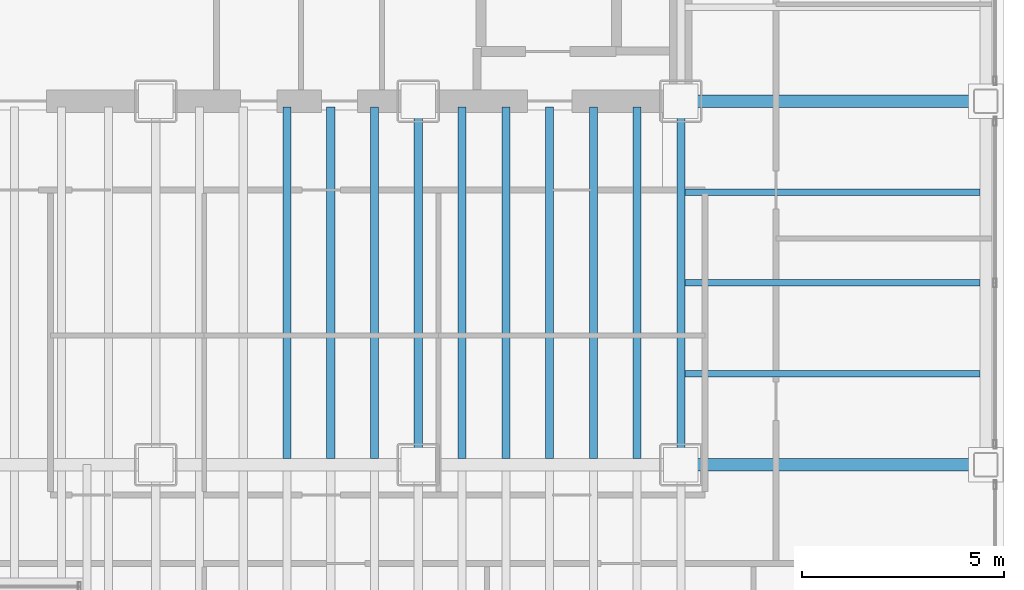
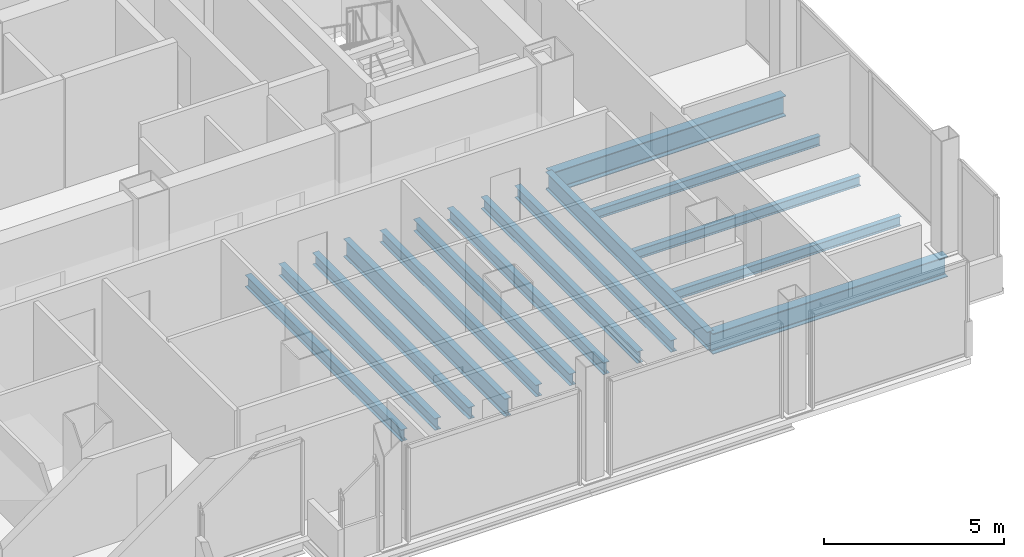
# One storey, part 10 of 21: 15 beams.
"""IFC4 building model written with IfcOpenShell, lengths in metres."""

import ifcopenshell
import ifcopenshell.guid

model = None  # the IFC model being written
_history = None  # IfcOwnerHistory: only IFC2X3 demands one
_inside = {}  # id of a spatial element -> (the spatial element, [elements in it])
_under = {}  # id of a project, library or spatial element -> (it, [spatial elements below it])
_declared = {}  # id of a project -> (the project, [libraries it declares])
_typed = {}  # id of a type object -> (the type object, [elements of that type])
_made_of = {}  # id of a material, layer set ... -> (it, [elements and type objects made of it])


def new_model(schema):
    """Start an empty IFC model of exactly this schema.

    Asked for "IFC4X3", IfcOpenShell would pick the latest addendum, in which some entities
    have other attributes; the version numbers below select the first issue.
    IFC2X3 requires an IfcOwnerHistory on every rooted entity: one is made here for all.
    """
    global model, _history
    if schema == "IFC4X3":
        model = ifcopenshell.file(schema_version=(4, 3, 0, 0))
    else:
        model = ifcopenshell.file(schema=schema)
    _inside.clear()
    _under.clear()
    _declared.clear()
    _typed.clear()
    _made_of.clear()
    _history = None
    if model.schema == "IFC2X3":
        org = make("IfcOrganization", Name="unknown")
        user = make(
            "IfcPersonAndOrganization",
            ThePerson=make("IfcPerson", FamilyName="unknown"),
            TheOrganization=org,
        )
        app = make(
            "IfcApplication",
            ApplicationDeveloper=org,
            Version="unknown",
            ApplicationFullName="unknown",
            ApplicationIdentifier="unknown",
        )
        _history = make(
            "IfcOwnerHistory",
            OwningUser=user,
            OwningApplication=app,
            ChangeAction="ADDED",
            CreationDate=0,
        )
    return model


def make(cls, **values):
    """One entity of the class cls with the attributes given. An attribute that is None is left unset."""
    return model.create_entity(
        cls, **{name: value for name, value in values.items() if value is not None}
    )


def rooted(cls, **values):
    """An entity with a GlobalId (a new one), such as an element, a storey or a relation."""
    return make(cls, GlobalId=ifcopenshell.guid.new(), OwnerHistory=_history, **values)


def si_unit(unit_type, name, prefix=None):
    """IfcSIUnit, for example si_unit("LENGTHUNIT", "METRE", prefix="MILLI")."""
    return make("IfcSIUnit", UnitType=unit_type, Prefix=prefix, Name=name)


def assignment(units):
    """IfcUnitAssignment: the units of a project."""
    return None if units is None else make("IfcUnitAssignment", Units=units)


def point(xyz):
    """IfcCartesianPoint."""
    return None if xyz is None else make("IfcCartesianPoint", Coordinates=xyz)


def direction(xyz):
    """IfcDirection."""
    return None if xyz is None else make("IfcDirection", DirectionRatios=xyz)


def frame(location, z_axis=None, x_axis=None):
    """IfcAxis2Placement3D, a coordinate frame: its origin and axes. An axis left out is left unset."""
    return make(
        "IfcAxis2Placement3D",
        Location=point(location),
        Axis=direction(z_axis),
        RefDirection=direction(x_axis),
    )


def frame_2d(location, x_axis=None):
    """IfcAxis2Placement2D, a coordinate frame in the plane: its origin and x axis."""
    return make(
        "IfcAxis2Placement2D", Location=point(location), RefDirection=direction(x_axis)
    )


def origin():
    """The frame at (0, 0, 0) with its axes left unset."""
    return frame((0.0, 0.0, 0.0))


def origin_2d():
    """The frame at (0, 0) in the plane with its x axis left unset."""
    return frame_2d((0.0, 0.0))


def place(relative_to, where):
    """IfcLocalPlacement: puts the frame where relative to a parent placement (None: the world)."""
    return make(
        "IfcLocalPlacement", PlacementRelTo=relative_to, RelativePlacement=where
    )


def context(
    kind, dimensions, precision=None, world=None, true_north=None, identifier=None
):
    """IfcGeometricRepresentationContext, for example the 3D "Model" context."""
    return make(
        "IfcGeometricRepresentationContext",
        ContextIdentifier=identifier,
        ContextType=kind,
        CoordinateSpaceDimension=dimensions,
        Precision=precision,
        WorldCoordinateSystem=world,
        TrueNorth=true_north,
    )


def subcontext(parent, identifier, kind, view, scale=None):
    """IfcGeometricRepresentationSubContext, for example "Body" below "Model"."""
    return make(
        "IfcGeometricRepresentationSubContext",
        ContextIdentifier=identifier,
        ContextType=kind,
        ParentContext=parent,
        TargetScale=scale,
        TargetView=view,
    )


def project(units=None, contexts=None):
    """IfcProject with its units and contexts."""
    return rooted(
        "IfcProject",
        Name="project",
        RepresentationContexts=contexts,
        UnitsInContext=assignment(units),
    )


def spatial(cls, under=None, at=None, **own):
    """A site, building, storey or space (cls), placed at a placement, below another one or the project."""
    s = rooted(cls, ObjectPlacement=at, **own)
    if under is not None:
        _under.setdefault(under.id(), (under, []))[1].append(s)
    return s


def profile(cls, at=None, kind="AREA", **sizes):
    """A parametric profile (cls). Its sizes go by their IFC names, for example OverallWidth=200.0."""
    return make(cls, ProfileType=kind, Position=at, **sizes)


def i_section(**sizes):
    """IfcIShapeProfileDef."""
    return profile("IfcIShapeProfileDef", **sizes)


def extrude(swept, where, along, depth):
    """IfcExtrudedAreaSolid: the profile swept, set in the frame where, extruded along a direction by depth."""
    return make(
        "IfcExtrudedAreaSolid",
        SweptArea=swept,
        Position=where,
        ExtrudedDirection=direction(along),
        Depth=depth,
    )


def shape(context_of_items, identifier, shape_type, items):
    """IfcShapeRepresentation: the items that make up one representation, for example the "Body"."""
    return make(
        "IfcShapeRepresentation",
        ContextOfItems=context_of_items,
        RepresentationIdentifier=identifier,
        RepresentationType=shape_type,
        Items=items,
    )


def material(Name=None, Category=None):
    """IfcMaterial."""
    return make("IfcMaterial", Name=Name, Category=Category)


def material_profile(
    of_material, cross_section, Name=None, Category=None, Priority=None
):
    """IfcMaterialProfile: a cross section and its material."""
    return make(
        "IfcMaterialProfile",
        Name=Name,
        Material=of_material,
        Profile=cross_section,
        Priority=Priority,
        Category=Category,
    )


def profile_set(profiles, Name=None, composite=None):
    """IfcMaterialProfileSet."""
    return make(
        "IfcMaterialProfileSet",
        Name=Name,
        MaterialProfiles=profiles,
        CompositeProfile=composite,
    )


def made_of(thing, what):
    """Note that an element or type object is made of a material, layer set ...; save() writes the relation."""
    if what is not None:
        _made_of.setdefault(what.id(), (what, []))[1].append(thing)
    return thing


def type_object(cls, material=None, **own):
    """A type object (cls), such as IfcWallType, which elements share."""
    return made_of(rooted(cls, **own), material)


def element(
    cls,
    number,
    at=None,
    inside=None,
    cuts=None,
    type_object=None,
    material=None,
    context=None,
    identifier="Body",
    shape_type=None,
    held_by="IfcProductDefinitionShape",
    body=None,
    shapes=None,
    **own,
):
    """One element of the class cls, such as IfcWall. Its Tag is "e" and its number.

    at: its placement. inside: the storey or other place that contains it. cuts: it is an
    opening in that element (IfcRelVoidsElement). A single representation is given by context,
    identifier, shape_type and body (its items); several are given by shapes. held_by: the class
    of the entity that holds the representations. save() writes the other relations.
    """
    e = rooted(cls, Tag="e%d" % number, ObjectPlacement=at, **own)
    if body is not None:
        shapes = [shape(context, identifier, shape_type, body)]
    if shapes is not None:
        e.Representation = make(held_by, Representations=shapes)
    if inside is not None:
        _inside.setdefault(inside.id(), (inside, []))[1].append(e)
    if cuts is not None:
        rooted(
            "IfcRelVoidsElement", RelatingBuildingElement=cuts, RelatedOpeningElement=e
        )
    if type_object is not None:
        _typed.setdefault(type_object.id(), (type_object, []))[1].append(e)
    return made_of(e, material)


def aggregate(whole, parts):
    """IfcRelAggregates: a whole, such as a stair, and the parts it consists of."""
    return rooted("IfcRelAggregates", RelatingObject=whole, RelatedObjects=parts)


def save(model, path):
    """Write the relations noted so far, then the file.

    IfcRelAggregates (storeys below a building ...), IfcRelContainedInSpatialStructure (elements
    in a storey), IfcRelDefinesByType, IfcRelAssociatesMaterial and IfcRelDeclares: one each for
    every whole, place, type object, material and project.
    """
    for whole, parts in _under.values():
        aggregate(whole, parts)
    for where, things in _inside.values():
        rooted(
            "IfcRelContainedInSpatialStructure",
            RelatedElements=things,
            RelatingStructure=where,
        )
    for kind, things in _typed.values():
        rooted("IfcRelDefinesByType", RelatedObjects=things, RelatingType=kind)
    for what, things in _made_of.values():
        rooted("IfcRelAssociatesMaterial", RelatedObjects=things, RelatingMaterial=what)
    for by, libraries in _declared.values():
        rooted("IfcRelDeclares", RelatingContext=by, RelatedDefinitions=libraries)
    model.write(path)


model = new_model("IFC4")

# Units and contexts
model_context = context("Model", 3, precision=1e-05, world=origin(), true_north=direction((0.0, 1.0)))
body_context = subcontext(model_context, "Body", "Model", "MODEL_VIEW")
ifc_project = project(units=[si_unit("LENGTHUNIT", "METRE"), si_unit("AREAUNIT", "SQUARE_METRE"), si_unit("VOLUMEUNIT", "CUBIC_METRE"), si_unit("PLANEANGLEUNIT", "RADIAN"), si_unit("MASSUNIT", "GRAM", prefix="KILO")], contexts=[model_context])

# Site, building, storey
site_placement = place(None, origin())
site = spatial("IfcSite", under=ifc_project, at=site_placement, CompositionType="ELEMENT")
building_placement = place(site_placement, origin())
building = spatial("IfcBuilding", under=site, at=building_placement, Name="Noeulbin Bourse Tower", CompositionType="ELEMENT")
storey_placement = place(building_placement, frame((0.0, 0.0, 46.0)))
storey = spatial("IfcBuildingStorey", under=building, at=storey_placement, Name="L11", CompositionType="ELEMENT", Elevation=46.0)

# Beams
ifc_material = material(Name="Steel S355", Category="steel")
ifc_material_profile_1 = material_profile(ifc_material, i_section(OverallWidth=0.199951171875, OverallDepth=0.60009765625, WebThickness=0.010986328125, FlangeThickness=0.01708984375, FilletRadius=0.02197265625, at=origin_2d()), Name="H-600x200x11x17", Category="LoadBearing")
ifc_profile_set_1 = profile_set([ifc_material_profile_1], Name="Steel S355")
beam_type_1 = type_object("IfcBeamType", Name="BM-GRD-600", PredefinedType="USERDEFINED", material=ifc_profile_set_1)
for number, where, z_axis, x_axis, name in (
    (1, (37.5, 20.0, -0.47998046875), (0.0, 1.0, 0.0), (-1.0, 0.0, 0.0), "Tower Primary Girder NS L11-4.2"),
    (2, (44.0, 20.0, -0.47998046875), (0.0, 1.0, 0.0), (-1.0, 0.0, 0.0), "Tower Primary Girder NS L11-5.2"),
):
    element("IfcBeam", number, at=place(storey_placement, frame(where, z_axis=z_axis, x_axis=x_axis)), inside=storey, type_object=beam_type_1, Name=name, ObjectType="GIRDER", PredefinedType="USERDEFINED", context=body_context, shape_type="SweptSolid", body=[
        extrude(i_section(OverallWidth=0.199951171875, OverallDepth=0.60009765625, WebThickness=0.010986328125, FlangeThickness=0.01708984375, FilletRadius=0.02197265625, at=origin_2d()), origin(), (0.0, 0.0, 1.0), 9.0),
    ])
ifc_material_profile_2 = material_profile(ifc_material, i_section(OverallWidth=0.300048828125, OverallDepth=0.699951171875, WebThickness=0.012939453125, FlangeThickness=0.02392578125, FilletRadius=0.02392578125, at=origin_2d()), Name="H-700x300x13x24", Category="LoadBearing")
ifc_profile_set_2 = profile_set([ifc_material_profile_2], Name="Steel S355")
beam_type_2 = type_object("IfcBeamType", Name="BM-GRD-700", PredefinedType="USERDEFINED", material=ifc_profile_set_2)
for number, where, z_axis, x_axis, name in (
    (3, (44.0, 20.0, -0.530029296875), (1.0, 0.0, 0.0), (0.0, 1.0, 0.0), "Tower Primary Girder EW L11-1.6"),
    (4, (44.0, 29.0, -0.530029296875), (1.0, 0.0, 0.0), (0.0, 1.0, 0.0), "Tower Primary Girder EW L11-2.6"),
):
    element("IfcBeam", number, at=place(storey_placement, frame(where, z_axis=z_axis, x_axis=x_axis)), inside=storey, type_object=beam_type_2, Name=name, ObjectType="GIRDER", PredefinedType="USERDEFINED", context=body_context, shape_type="SweptSolid", body=[
        extrude(i_section(OverallWidth=0.300048828125, OverallDepth=0.699951171875, WebThickness=0.012939453125, FlangeThickness=0.02392578125, FilletRadius=0.02392578125, at=origin_2d()), origin(), (0.0, 0.0, 1.0), 7.550048828125),
    ])
ifc_material_profile_3 = material_profile(ifc_material, i_section(OverallWidth=0.159912109375, OverallDepth=0.320068359375, WebThickness=0.006591796875, FlangeThickness=0.010009765625, FilletRadius=0.012939453125, at=origin_2d()), Name="H-320x160x6.5x10", Category="LoadBearing")
ifc_profile_set_3 = profile_set([ifc_material_profile_3], Name="Steel S355")
beam_type_3 = type_object("IfcBeamType", Name="BM-JST-320", PredefinedType="JOIST", material=ifc_profile_set_3)
for number, where, z_axis, x_axis, name in (
    (5, (44.10009765625, 22.25, -0.340087890625), (1.0, 0.0, 0.0), (0.0, 1.0, 0.0), "Wing Composite Joist L11-E76"),
    (6, (44.10009765625, 24.5, -0.340087890625), (1.0, 0.0, 0.0), (0.0, 1.0, 0.0), "Wing Composite Joist L11-E77"),
    (7, (44.10009765625, 26.75, -0.340087890625), (1.0, 0.0, 0.0), (0.0, 1.0, 0.0), "Wing Composite Joist L11-E78"),
):
    element("IfcBeam", number, at=place(storey_placement, frame(where, z_axis=z_axis, x_axis=x_axis)), inside=storey, type_object=beam_type_3, Name=name, PredefinedType="JOIST", context=body_context, shape_type="SweptSolid", body=[
        extrude(i_section(OverallWidth=0.159912109375, OverallDepth=0.320068359375, WebThickness=0.006591796875, FlangeThickness=0.010009765625, FilletRadius=0.012939453125, at=origin_2d()), origin(), (0.0, 0.0, 1.0), 7.2998046875),
    ])
ifc_material_profile_4 = material_profile(ifc_material, i_section(OverallWidth=0.199951171875, OverallDepth=0.39990234375, WebThickness=0.008056640625, FlangeThickness=0.012939453125, FilletRadius=0.01611328125, at=origin_2d()), Name="H-400x200x8x13", Category="LoadBearing")
ifc_profile_set_4 = profile_set([ifc_material_profile_4], Name="Steel S355")
beam_type_4 = type_object("IfcBeamType", Name="BM-SEC-400", PredefinedType="BEAM", material=ifc_profile_set_4)
for number, where, z_axis, x_axis, name in (
    (8, (34.25, 20.14990234375, -0.3798828125), (0.0, 1.0, 0.0), (-1.0, 0.0, 0.0), "Tower Composite Joist L11-47"),
    (9, (35.333251953125, 20.14990234375, -0.3798828125), (0.0, 1.0, 0.0), (-1.0, 0.0, 0.0), "Tower Composite Joist L11-50"),
    (10, (36.416748046875, 20.14990234375, -0.3798828125), (0.0, 1.0, 0.0), (-1.0, 0.0, 0.0), "Tower Composite Joist L11-53"),
    (11, (38.583251953125, 20.14990234375, -0.3798828125), (0.0, 1.0, 0.0), (-1.0, 0.0, 0.0), "Tower Composite Joist L11-56"),
    (12, (39.666748046875, 20.14990234375, -0.3798828125), (0.0, 1.0, 0.0), (-1.0, 0.0, 0.0), "Tower Composite Joist L11-59"),
    (13, (40.75, 20.14990234375, -0.3798828125), (0.0, 1.0, 0.0), (-1.0, 0.0, 0.0), "Tower Composite Joist L11-62"),
    (14, (41.833251953125, 20.14990234375, -0.3798828125), (0.0, 1.0, 0.0), (-1.0, 0.0, 0.0), "Tower Composite Joist L11-65"),
    (15, (42.916748046875, 20.14990234375, -0.3798828125), (0.0, 1.0, 0.0), (-1.0, 0.0, 0.0), "Tower Composite Joist L11-68"),
):
    element("IfcBeam", number, at=place(storey_placement, frame(where, z_axis=z_axis, x_axis=x_axis)), inside=storey, type_object=beam_type_4, Name=name, PredefinedType="BEAM", context=body_context, shape_type="SweptSolid", body=[
        extrude(i_section(OverallWidth=0.199951171875, OverallDepth=0.39990234375, WebThickness=0.008056640625, FlangeThickness=0.012939453125, FilletRadius=0.01611328125, at=origin_2d()), origin(), (0.0, 0.0, 1.0), 8.7001953125),
    ])

save(model, "model.ifc")
